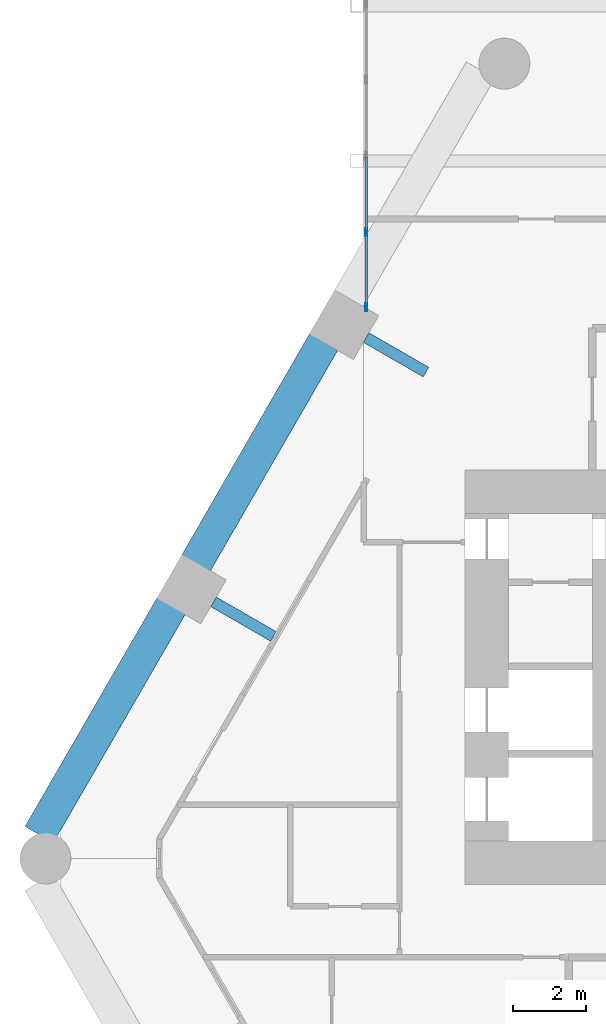
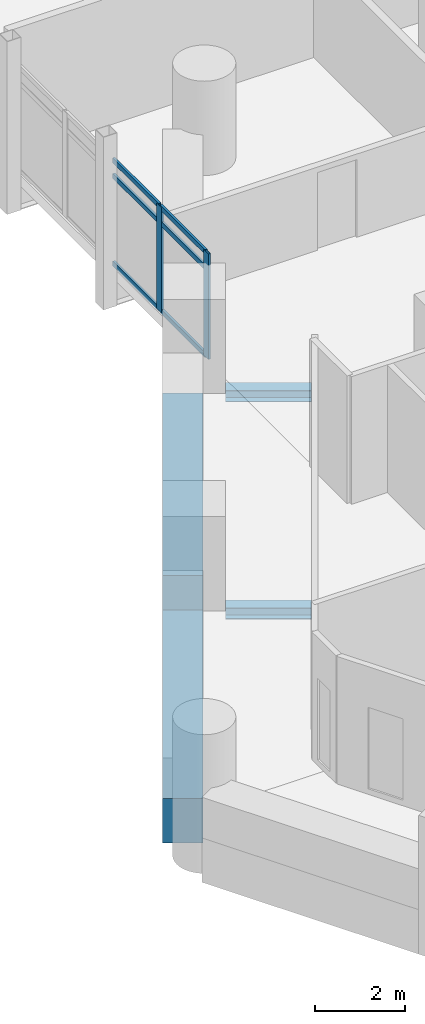
# One storey, part 12 of 28: 8 members, 4 beams, 1 element without a shape of its own.
"""IFC4 building model written with IfcOpenShell, lengths in metres."""

from ifc_helpers import new_model, si_unit, direction, frame, origin, origin_2d, place, context, subcontext, project, spatial, rectangle, hollow_rectangle, i_section, extrude, material, material_profile, profile_set, type_object, element, aggregate, save


model = new_model("IFC4")

# Units and contexts
model_context = context("Model", 3, precision=1e-05, world=origin(), true_north=direction((0.0, 1.0)))
body_context = subcontext(model_context, "Body", "Model", "MODEL_VIEW")
ifc_project = project(units=[si_unit("LENGTHUNIT", "METRE"), si_unit("AREAUNIT", "SQUARE_METRE"), si_unit("VOLUMEUNIT", "CUBIC_METRE"), si_unit("PLANEANGLEUNIT", "RADIAN"), si_unit("MASSUNIT", "GRAM", prefix="KILO")], contexts=[model_context])

# Site, building, storey
site_placement = place(None, origin())
site = spatial("IfcSite", under=ifc_project, at=site_placement, CompositionType="ELEMENT")
building_placement = place(site_placement, origin())
building = spatial("IfcBuilding", under=site, at=building_placement, Name="Ostrander Bayou Hotel Tower", CompositionType="ELEMENT")
storey_placement = place(building_placement, frame((0.0, 0.0, 76.75)))
storey = spatial("IfcBuildingStorey", under=building, at=storey_placement, Name="L19", CompositionType="ELEMENT", Elevation=76.75)

# Curtain wall, members
ifc_material_1 = material(Name="Aluminium and clear glass", Category="aluminium")
curtain_wall_type = type_object("IfcCurtainWallType", Name="CW-BAR glazed wall", PredefinedType="NOTDEFINED", material=ifc_material_1)
curtain_wall_placement = place(storey_placement, origin())
curtain_wall = element("IfcCurtainWall", 1, at=curtain_wall_placement, inside=storey, type_object=curtain_wall_type, Name="CW-BAR L19:SB1N:E", PredefinedType="NOTDEFINED")
ifc_material_2 = material(Name="Aluminium", Category="aluminium")
ifc_material_profile_1 = material_profile(ifc_material_2, hollow_rectangle(XDim=0.06005859375, YDim=0.219970703125, WallThickness=0.00390625, at=origin_2d()))
ifc_profile_set_1 = profile_set([ifc_material_profile_1], Name="Aluminium")
member_type_1 = type_object("IfcMemberType", Name="CW-BR mullion 60 x 220 mm", PredefinedType="MULLION", material=ifc_profile_set_1)
member_1_placement = place(storey_placement, frame((-14.712158203125, 14.1767578125, 0.0), z_axis=(0.0, 0.0, 1.0), x_axis=(-1.0, 0.0, 0.0)))
member_1 = element("IfcMember", 2, at=member_1_placement, type_object=member_type_1, Name="CW-BAR mullion 1", PredefinedType="MULLION", context=body_context, shape_type="SweptSolid", body=[
    extrude(hollow_rectangle(XDim=0.06005859375, YDim=0.219970703125, WallThickness=0.00390625, at=origin_2d()), origin(), (0.0, 0.0, 1.0), 2.85009765625),
])
member_2_placement = place(storey_placement, frame((-14.712158203125, 16.2392578125, 0.0), z_axis=(0.0, 0.0, 1.0), x_axis=(-1.0, 0.0, 0.0)))
member_2 = element("IfcMember", 3, at=member_2_placement, type_object=member_type_1, Name="CW-BAR mullion 2", PredefinedType="MULLION", context=body_context, shape_type="SweptSolid", body=[
    extrude(hollow_rectangle(XDim=0.06005859375, YDim=0.219970703125, WallThickness=0.00390625, at=origin_2d()), origin(), (0.0, 0.0, 1.0), 2.85009765625),
])
ifc_material_3 = material(Name="Aluminium", Category="aluminium")
ifc_material_profile_2 = material_profile(ifc_material_3, hollow_rectangle(XDim=0.06005859375, YDim=0.1298828125, WallThickness=0.00390625, at=origin_2d()))
ifc_profile_set_2 = profile_set([ifc_material_profile_2], Name="Aluminium")
member_type_2 = type_object("IfcMemberType", Name="CW-BR transom 60 x 130 mm", PredefinedType="USERDEFINED", material=ifc_profile_set_2)
member_3_placement = place(storey_placement, frame((-14.712158203125, 14.206787109375, 0.030029296875), z_axis=(0.0, 1.0, 0.0), x_axis=(-1.0, 0.0, 0.0)))
member_3 = element("IfcMember", 4, at=member_3_placement, type_object=member_type_2, Name="CW-BAR transom 1.1", ObjectType="TRANSOM", PredefinedType="USERDEFINED", context=body_context, shape_type="SweptSolid", body=[
    extrude(hollow_rectangle(XDim=0.06005859375, YDim=0.1298828125, WallThickness=0.00390625, at=origin_2d()), origin(), (0.0, 0.0, 1.0), 2.00244140625),
])
member_4_placement = place(storey_placement, frame((-14.712158203125, 14.206787109375, 2.39990234375), z_axis=(0.0, 1.0, 0.0), x_axis=(-1.0, 0.0, 0.0)))
member_4 = element("IfcMember", 5, at=member_4_placement, type_object=member_type_2, Name="CW-BAR transom 1.2", ObjectType="TRANSOM", PredefinedType="USERDEFINED", context=body_context, shape_type="SweptSolid", body=[
    extrude(hollow_rectangle(XDim=0.06005859375, YDim=0.1298828125, WallThickness=0.00390625, at=origin_2d()), origin(), (0.0, 0.0, 1.0), 2.00244140625),
])
member_5_placement = place(storey_placement, frame((-14.712158203125, 14.206787109375, 2.820068359375), z_axis=(0.0, 1.0, 0.0), x_axis=(-1.0, 0.0, 0.0)))
member_5 = element("IfcMember", 6, at=member_5_placement, type_object=member_type_2, Name="CW-BAR transom 1.3", ObjectType="TRANSOM", PredefinedType="USERDEFINED", context=body_context, shape_type="SweptSolid", body=[
    extrude(hollow_rectangle(XDim=0.06005859375, YDim=0.1298828125, WallThickness=0.00390625, at=origin_2d()), origin(), (0.0, 0.0, 1.0), 2.00244140625),
])
member_6_placement = place(storey_placement, frame((-14.712158203125, 16.269287109375, 0.030029296875), z_axis=(0.0, 1.0, 0.0), x_axis=(-1.0, 0.0, 0.0)))
member_6 = element("IfcMember", 7, at=member_6_placement, type_object=member_type_2, Name="CW-BAR transom 2.1", ObjectType="TRANSOM", PredefinedType="USERDEFINED", context=body_context, shape_type="SweptSolid", body=[
    extrude(hollow_rectangle(XDim=0.06005859375, YDim=0.1298828125, WallThickness=0.00390625, at=origin_2d()), origin(), (0.0, 0.0, 1.0), 2.032470703125),
])
member_7_placement = place(storey_placement, frame((-14.712158203125, 16.269287109375, 2.39990234375), z_axis=(0.0, 1.0, 0.0), x_axis=(-1.0, 0.0, 0.0)))
member_7 = element("IfcMember", 8, at=member_7_placement, type_object=member_type_2, Name="CW-BAR transom 2.2", ObjectType="TRANSOM", PredefinedType="USERDEFINED", context=body_context, shape_type="SweptSolid", body=[
    extrude(hollow_rectangle(XDim=0.06005859375, YDim=0.1298828125, WallThickness=0.00390625, at=origin_2d()), origin(), (0.0, 0.0, 1.0), 2.032470703125),
])
member_8_placement = place(storey_placement, frame((-14.712158203125, 16.269287109375, 2.820068359375), z_axis=(0.0, 1.0, 0.0), x_axis=(-1.0, 0.0, 0.0)))
member_8 = element("IfcMember", 9, at=member_8_placement, type_object=member_type_2, Name="CW-BAR transom 2.3", ObjectType="TRANSOM", PredefinedType="USERDEFINED", context=body_context, shape_type="SweptSolid", body=[
    extrude(hollow_rectangle(XDim=0.06005859375, YDim=0.1298828125, WallThickness=0.00390625, at=origin_2d()), origin(), (0.0, 0.0, 1.0), 2.032470703125),
])
aggregate(curtain_wall, [member_1, member_2, member_3, member_4, member_5, member_6, member_7, member_8])

# Beams
ifc_material_4 = material(Name="Steel ASTM A992", Category="steel")
ifc_material_profile_3 = material_profile(ifc_material_4, i_section(OverallWidth=0.3046875, OverallDepth=0.307861328125, WebThickness=0.010009765625, FlangeThickness=0.015380859375, at=origin_2d()))
ifc_profile_set_3 = profile_set([ifc_material_profile_3], Name="Steel ASTM A992")
beam_type_1 = type_object("IfcBeamType", Name="LB1 loggia bracket W12x65", PredefinedType="BEAM", material=ifc_profile_set_3)
for number, where, z_axis, x_axis, name in (
    (10, (-14.718994140625, 13.34228515625, -0.453857421875), (0.866044365799, -0.499967155389, 0.0), (0.499967155389, 0.866044365799, 0.0), "LB1 L19 NW1"),
    (11, (-18.914306640625, 6.07568359375, -0.453857421875), (0.866044365799, -0.499967155389, 0.0), (0.499967155389, 0.866044365799, 0.0), "LB1 L19 NW2"),
):
    element("IfcBeam", number, at=place(storey_placement, frame(where, z_axis=z_axis, x_axis=x_axis)), inside=storey, type_object=beam_type_1, Name=name, PredefinedType="BEAM", context=body_context, shape_type="SweptSolid", body=[
        extrude(i_section(OverallWidth=0.3046875, OverallDepth=0.307861328125, WebThickness=0.010009765625, FlangeThickness=0.015380859375, at=origin_2d()), origin(), (0.0, 0.0, 1.0), 1.900146484375),
    ])
ifc_material_5 = material(Name="Concrete f'c 70 MPa", Category="concrete")
ifc_material_profile_4 = material_profile(ifc_material_5, rectangle(XDim=0.89990234375, YDim=1.199951171875, at=origin_2d()))
ifc_profile_set_4 = profile_set([ifc_material_profile_4], Name="Concrete f'c 70 MPa")
beam_type_2 = type_object("IfcBeamType", Name="SP1 spandrel beam 900 x 1200 mm f'c 70 MPa", PredefinedType="SPANDREL", material=ifc_profile_set_4)
beam_1_placement = place(storey_placement, frame((-15.876708984375, 13.237060546875, -0.60009765625), z_axis=(-0.500012199891, -0.86601836006, 0.0), x_axis=(0.86601836006, -0.500012199891, 0.0)))
element("IfcBeam", 12, at=beam_1_placement, inside=storey, type_object=beam_type_2, Name="SP1 L19 NW-2", PredefinedType="SPANDREL", context=body_context, shape_type="SweptSolid", body=[
    extrude(rectangle(XDim=0.89990234375, YDim=1.199951171875, at=origin_2d()), origin(), (0.0, 0.0, 1.0), 7.050537109375),
])
beam_2_placement = place(storey_placement, frame((-20.072021484375, 5.970458984375, -0.60009765625), z_axis=(-0.50000343918, -0.866023418164, 0.0), x_axis=(0.866023418164, -0.50000343918, 0.0)))
element("IfcBeam", 13, at=beam_2_placement, inside=storey, type_object=beam_type_2, Name="SP1 L19 NW-3", PredefinedType="SPANDREL", context=body_context, shape_type="SweptSolid", body=[
    extrude(rectangle(XDim=0.89990234375, YDim=1.199951171875, at=origin_2d()), origin(), (0.0, 0.0, 1.0), 7.2705078125),
])

save(model, "model.ifc")
